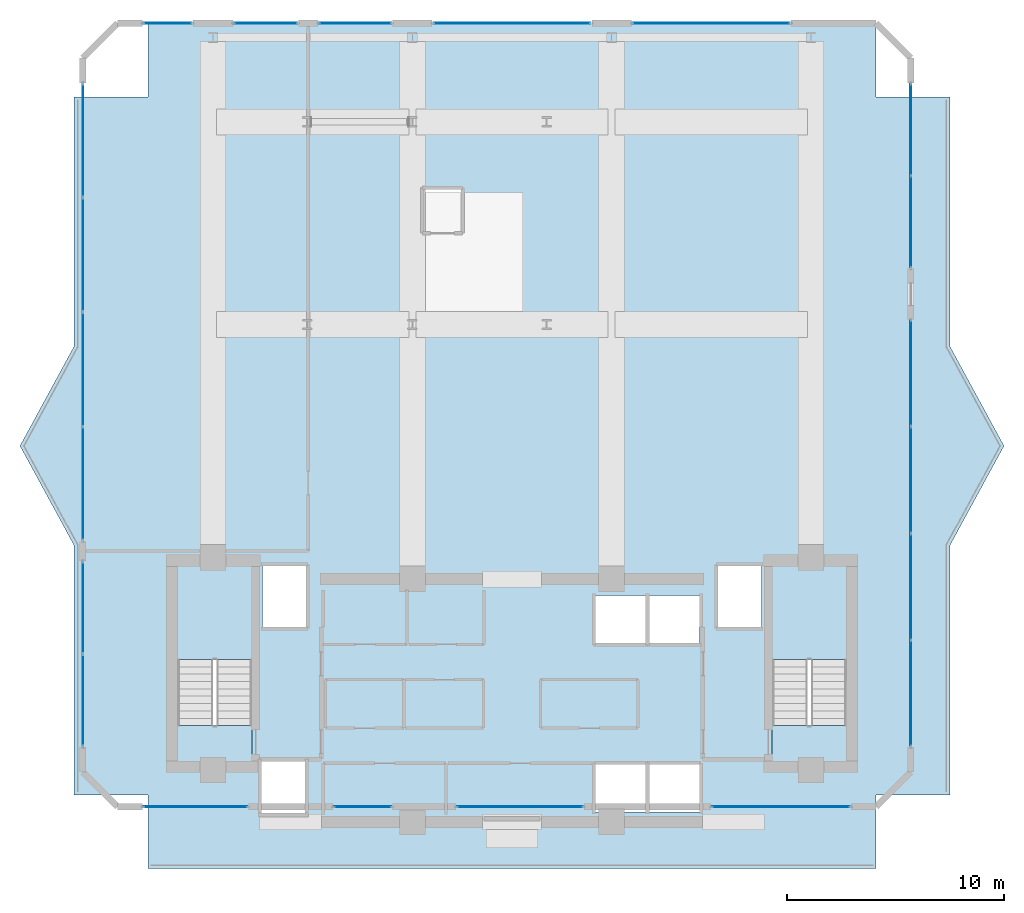
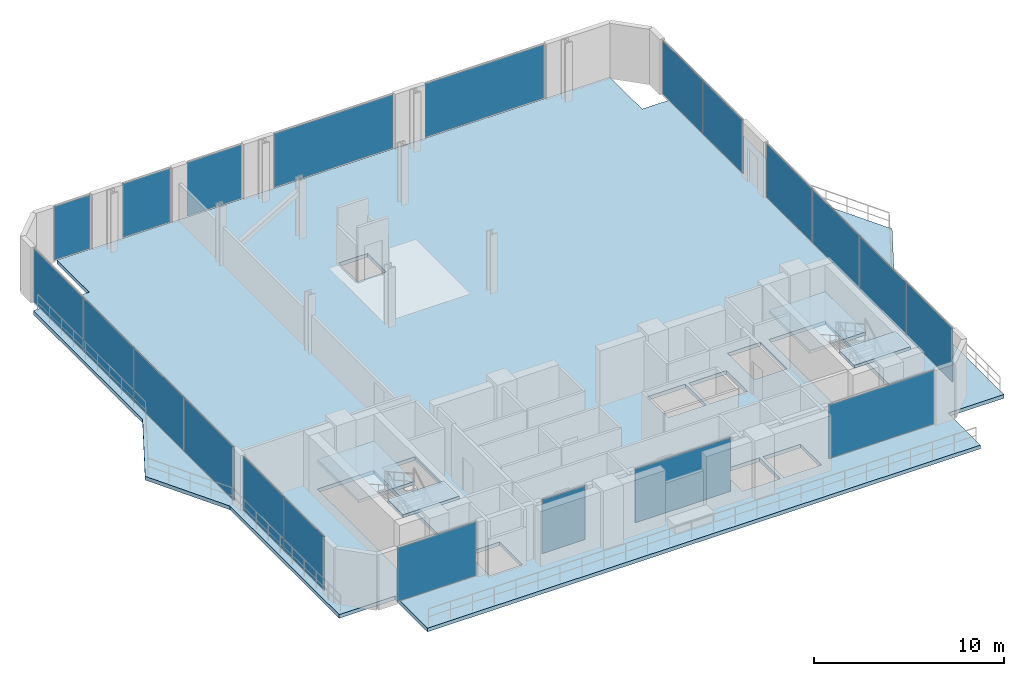
# One storey, part 21 of 27: 21 plates, 5 slabs, 15 elements without a shape of their own.
"""IFC4 building model written with IfcOpenShell, lengths in metres."""

from ifc_helpers import new_model, si_unit, direction, frame, origin, origin_2d, place, context, subcontext, project, spatial, polyline, rectangle, outline, extrude, material, layer, layer_set, type_object, element, aggregate, save


model = new_model("IFC4")

# Units and contexts
model_context = context("Model", 3, precision=1e-05, world=origin(), true_north=direction((0.0, 1.0)))
body_context = subcontext(model_context, "Body", "Model", "MODEL_VIEW")
ifc_project = project(units=[si_unit("LENGTHUNIT", "METRE"), si_unit("AREAUNIT", "SQUARE_METRE"), si_unit("VOLUMEUNIT", "CUBIC_METRE"), si_unit("PLANEANGLEUNIT", "RADIAN"), si_unit("MASSUNIT", "GRAM", prefix="KILO")], contexts=[model_context])

# Site, building, storey
site_placement = place(None, origin())
site = spatial("IfcSite", under=ifc_project, at=site_placement, CompositionType="ELEMENT")
building_placement = place(site_placement, origin())
building = spatial("IfcBuilding", under=site, at=building_placement, Name="Zuhayl Quay Hotel", CompositionType="ELEMENT")
storey_placement = place(building_placement, frame((0.0, 0.0, 297.25)))
storey = spatial("IfcBuildingStorey", under=building, at=storey_placement, Name="Crown 1", CompositionType="ELEMENT", Elevation=297.25)

# Curtain wall, plates
ifc_material_1 = material(Name="Anodised Aluminium 6063-T6", Category="aluminium")
ifc_layer_1 = layer(ifc_material_1, 0.159912109375, Name="Anodised Aluminium 6063-T6", Category="aluminium")
ifc_layer_set_1 = layer_set([ifc_layer_1], Name="Anodised Aluminium 6063-T6")
curtain_wall_type = type_object("IfcCurtainWallType", Name="CW_SYS_CRN", PredefinedType="USERDEFINED", material=ifc_layer_set_1)
curtain_wall_1_placement = place(storey_placement, origin())
curtain_wall_1 = element("IfcCurtainWall", 1, at=curtain_wall_1_placement, inside=storey, type_object=curtain_wall_type, Name="Crown 1 Curtain Wall ENV_CR1_E1_CW1", ObjectType="UNITISED CURTAIN WALL", PredefinedType="USERDEFINED")
ifc_material_2 = material(Name="Spandrel Fritted Solar Glass", Category="glass")
ifc_layer_2 = layer(ifc_material_2, 0.028076171875, Name="Spandrel Fritted Solar Glass", Category="glass")
ifc_layer_set_2 = layer_set([ifc_layer_2], Name="Spandrel Fritted Solar Glass")
plate_type = type_object("IfcPlateType", Name="PN_CROWN_SCREEN", PredefinedType="CURTAIN_PANEL", material=ifc_layer_set_2)
plate_1_placement = place(storey_placement, frame((-19.800048828125, 7.764892578125, 0.05517578125), z_axis=(0.0, 0.0, 1.0), x_axis=(0.0, 1.0, 0.0)))
plate_1 = element("IfcPlate", 2, at=plate_1_placement, type_object=plate_type, Name="CW-CRN panel 1.1", PredefinedType="CURTAIN_PANEL", context=body_context, shape_type="SweptSolid", body=[
    extrude(rectangle(XDim=4.2099609375, YDim=0.028076171875, at=origin_2d()), origin(), (0.0, 0.0, 1.0), 3.449951171875),
])
plate_2_placement = place(storey_placement, frame((-19.800048828125, 12.034912109375, 0.05517578125), z_axis=(0.0, 0.0, 1.0), x_axis=(0.0, 1.0, 0.0)))
plate_2 = element("IfcPlate", 3, at=plate_2_placement, type_object=plate_type, Name="CW-CRN panel 2.1", PredefinedType="CURTAIN_PANEL", context=body_context, shape_type="SweptSolid", body=[
    extrude(rectangle(XDim=4.2099609375, YDim=0.028076171875, at=origin_2d()), origin(), (0.0, 0.0, 1.0), 3.449951171875),
])
aggregate(curtain_wall_1, [plate_1, plate_2])

curtain_wall_2_placement = place(storey_placement, origin())
curtain_wall_2 = element("IfcCurtainWall", 4, at=curtain_wall_2_placement, inside=storey, type_object=curtain_wall_type, Name="Crown 1 Curtain Wall ENV_CR1_E1_CW2", ObjectType="UNITISED CURTAIN WALL", PredefinedType="USERDEFINED")
plate_3_placement = place(storey_placement, frame((-19.800048828125, 17.7587890625, 0.05517578125), z_axis=(0.0, 0.0, 1.0), x_axis=(0.0, 1.0, 0.0)))
plate_3 = element("IfcPlate", 5, at=plate_3_placement, type_object=plate_type, Name="CW-CRN panel 1.1", PredefinedType="CURTAIN_PANEL", context=body_context, shape_type="SweptSolid", body=[
    extrude(rectangle(XDim=5.197509765625, YDim=0.028076171875, at=origin_2d()), origin(), (0.0, 0.0, 1.0), 3.449951171875),
])
plate_4_placement = place(storey_placement, frame((-19.800048828125, 23.03125, 0.05517578125), z_axis=(0.0, 0.0, 1.0), x_axis=(0.0, 1.0, 0.0)))
plate_4 = element("IfcPlate", 6, at=plate_4_placement, type_object=plate_type, Name="CW-CRN panel 2.1", PredefinedType="CURTAIN_PANEL", context=body_context, shape_type="SweptSolid", body=[
    extrude(rectangle(XDim=5.2275390625, YDim=0.028076171875, at=origin_2d()), origin(), (0.0, 0.0, 1.0), 3.449951171875),
])
plate_5_placement = place(storey_placement, frame((-19.800048828125, 28.31884765625, 0.05517578125), z_axis=(0.0, 0.0, 1.0), x_axis=(0.0, 1.0, 0.0)))
plate_5 = element("IfcPlate", 7, at=plate_5_placement, type_object=plate_type, Name="CW-CRN panel 3.1", PredefinedType="CURTAIN_PANEL", context=body_context, shape_type="SweptSolid", body=[
    extrude(rectangle(XDim=5.2275390625, YDim=0.028076171875, at=origin_2d()), origin(), (0.0, 0.0, 1.0), 3.449951171875),
])
plate_6_placement = place(storey_placement, frame((-19.800048828125, 33.59130859375, 0.05517578125), z_axis=(0.0, 0.0, 1.0), x_axis=(0.0, 1.0, 0.0)))
plate_6 = element("IfcPlate", 8, at=plate_6_placement, type_object=plate_type, Name="CW-CRN panel 4.1", PredefinedType="CURTAIN_PANEL", context=body_context, shape_type="SweptSolid", body=[
    extrude(rectangle(XDim=5.197509765625, YDim=0.028076171875, at=origin_2d()), origin(), (0.0, 0.0, 1.0), 3.449951171875),
])
aggregate(curtain_wall_2, [plate_3, plate_4, plate_5, plate_6])

# Curtain wall, plate
curtain_wall_3_placement = place(storey_placement, origin())
curtain_wall_3 = element("IfcCurtainWall", 9, at=curtain_wall_3_placement, inside=storey, type_object=curtain_wall_type, Name="Crown 1 Curtain Wall ENV_CR1_E3_CW1", ObjectType="UNITISED CURTAIN WALL", PredefinedType="USERDEFINED")
plate_7_placement = place(storey_placement, frame((-15.885009765625, 39.0, 0.05517578125), z_axis=(0.0, 0.0, 1.0), x_axis=(1.0, 0.0, 0.0)))
plate_7 = element("IfcPlate", 10, at=plate_7_placement, type_object=plate_type, Name="CW-CRN panel 1.1", PredefinedType="CURTAIN_PANEL", context=body_context, shape_type="SweptSolid", body=[
    extrude(rectangle(XDim=2.2099609375, YDim=0.028076171875, at=origin_2d()), origin(), (0.0, 0.0, 1.0), 3.449951171875),
])
aggregate(curtain_wall_3, [plate_7])

curtain_wall_4_placement = place(storey_placement, origin())
curtain_wall_4 = element("IfcCurtainWall", 11, at=curtain_wall_4_placement, inside=storey, type_object=curtain_wall_type, Name="Crown 1 Curtain Wall ENV_CR1_E3_CW2", ObjectType="UNITISED CURTAIN WALL", PredefinedType="USERDEFINED")
plate_8_placement = place(storey_placement, frame((-11.364990234375, 39.0, 0.05517578125), z_axis=(0.0, 0.0, 1.0), x_axis=(1.0, 0.0, 0.0)))
plate_8 = element("IfcPlate", 12, at=plate_8_placement, type_object=plate_type, Name="CW-CRN panel 1.1", PredefinedType="CURTAIN_PANEL", context=body_context, shape_type="SweptSolid", body=[
    extrude(rectangle(XDim=2.909912109375, YDim=0.028076171875, at=origin_2d()), origin(), (0.0, 0.0, 1.0), 3.449951171875),
])
aggregate(curtain_wall_4, [plate_8])

curtain_wall_5_placement = place(storey_placement, origin())
curtain_wall_5 = element("IfcCurtainWall", 13, at=curtain_wall_5_placement, inside=storey, type_object=curtain_wall_type, Name="Crown 1 Curtain Wall ENV_CR1_E3_CW3", ObjectType="UNITISED CURTAIN WALL", PredefinedType="USERDEFINED")
plate_9_placement = place(storey_placement, frame((-7.235107421875, 39.0, 0.05517578125), z_axis=(0.0, 0.0, 1.0), x_axis=(1.0, 0.0, 0.0)))
plate_9 = element("IfcPlate", 14, at=plate_9_placement, type_object=plate_type, Name="CW-CRN panel 1.1", PredefinedType="CURTAIN_PANEL", context=body_context, shape_type="SweptSolid", body=[
    extrude(rectangle(XDim=3.31005859375, YDim=0.028076171875, at=origin_2d()), origin(), (0.0, 0.0, 1.0), 3.449951171875),
])
aggregate(curtain_wall_5, [plate_9])

curtain_wall_6_placement = place(storey_placement, origin())
curtain_wall_6 = element("IfcCurtainWall", 15, at=curtain_wall_6_placement, inside=storey, type_object=curtain_wall_type, Name="Crown 1 Curtain Wall ENV_CR1_E3_CW4", ObjectType="UNITISED CURTAIN WALL", PredefinedType="USERDEFINED")
plate_10_placement = place(storey_placement, frame((0.0, 39.0, 0.05517578125), z_axis=(0.0, 0.0, 1.0), x_axis=(1.0, 0.0, 0.0)))
plate_10 = element("IfcPlate", 16, at=plate_10_placement, type_object=plate_type, Name="CW-CRN panel 1.1", PredefinedType="CURTAIN_PANEL", context=body_context, shape_type="SweptSolid", body=[
    extrude(rectangle(XDim=7.239990234375, YDim=0.028076171875, at=origin_2d()), origin(), (0.0, 0.0, 1.0), 3.449951171875),
])
aggregate(curtain_wall_6, [plate_10])

curtain_wall_7_placement = place(storey_placement, origin())
curtain_wall_7 = element("IfcCurtainWall", 17, at=curtain_wall_7_placement, inside=storey, type_object=curtain_wall_type, Name="Crown 1 Curtain Wall ENV_CR1_E3_CW5", ObjectType="UNITISED CURTAIN WALL", PredefinedType="USERDEFINED")
plate_11_placement = place(storey_placement, frame((9.199951171875, 39.0, 0.05517578125), z_axis=(0.0, 0.0, 1.0), x_axis=(1.0, 0.0, 0.0)))
plate_11 = element("IfcPlate", 18, at=plate_11_placement, type_object=plate_type, Name="CW-CRN panel 1.1", PredefinedType="CURTAIN_PANEL", context=body_context, shape_type="SweptSolid", body=[
    extrude(rectangle(XDim=7.239990234375, YDim=0.028076171875, at=origin_2d()), origin(), (0.0, 0.0, 1.0), 3.449951171875),
])
aggregate(curtain_wall_7, [plate_11])

# Curtain wall, plates
curtain_wall_8_placement = place(storey_placement, origin())
curtain_wall_8 = element("IfcCurtainWall", 19, at=curtain_wall_8_placement, inside=storey, type_object=curtain_wall_type, Name="Crown 1 Curtain Wall ENV_CR1_E5_CW1", ObjectType="UNITISED CURTAIN WALL", PredefinedType="USERDEFINED")
plate_12_placement = place(storey_placement, frame((18.39990234375, 34.09130859375, 0.05517578125), z_axis=(0.0, 0.0, 1.0), x_axis=(0.0, -1.0, 0.0)))
plate_12 = element("IfcPlate", 20, at=plate_12_placement, type_object=plate_type, Name="CW-CRN panel 1.1", PredefinedType="CURTAIN_PANEL", context=body_context, shape_type="SweptSolid", body=[
    extrude(rectangle(XDim=4.197509765625, YDim=0.028076171875, at=origin_2d()), origin(), (0.0, 0.0, 1.0), 3.449951171875),
])
plate_13_placement = place(storey_placement, frame((18.39990234375, 29.833740234375, 0.05517578125), z_axis=(0.0, 0.0, 1.0), x_axis=(0.0, -1.0, 0.0)))
plate_13 = element("IfcPlate", 21, at=plate_13_placement, type_object=plate_type, Name="CW-CRN panel 2.1", PredefinedType="CURTAIN_PANEL", context=body_context, shape_type="SweptSolid", body=[
    extrude(rectangle(XDim=4.197509765625, YDim=0.028076171875, at=origin_2d()), origin(), (0.0, 0.0, 1.0), 3.449951171875),
])
aggregate(curtain_wall_8, [plate_12, plate_13])

curtain_wall_9_placement = place(storey_placement, origin())
curtain_wall_9 = element("IfcCurtainWall", 22, at=curtain_wall_9_placement, inside=storey, type_object=curtain_wall_type, Name="Crown 1 Curtain Wall ENV_CR1_E5_CW2", ObjectType="UNITISED CURTAIN WALL", PredefinedType="USERDEFINED")
plate_14_placement = place(storey_placement, frame((18.39990234375, 22.844482421875, 0.05517578125), z_axis=(0.0, 0.0, 1.0), x_axis=(0.0, -1.0, 0.0)))
plate_14 = element("IfcPlate", 23, at=plate_14_placement, type_object=plate_type, Name="CW-CRN panel 1.1", PredefinedType="CURTAIN_PANEL", context=body_context, shape_type="SweptSolid", body=[
    extrude(rectangle(XDim=4.84130859375, YDim=0.028076171875, at=origin_2d()), origin(), (0.0, 0.0, 1.0), 3.449951171875),
])
plate_15_placement = place(storey_placement, frame((18.39990234375, 17.92822265625, 0.05517578125), z_axis=(0.0, 0.0, 1.0), x_axis=(0.0, -1.0, 0.0)))
plate_15 = element("IfcPlate", 24, at=plate_15_placement, type_object=plate_type, Name="CW-CRN panel 2.1", PredefinedType="CURTAIN_PANEL", context=body_context, shape_type="SweptSolid", body=[
    extrude(rectangle(XDim=4.871337890625, YDim=0.028076171875, at=origin_2d()), origin(), (0.0, 0.0, 1.0), 3.449951171875),
])
plate_16_placement = place(storey_placement, frame((18.39990234375, 12.996826171875, 0.05517578125), z_axis=(0.0, 0.0, 1.0), x_axis=(0.0, -1.0, 0.0)))
plate_16 = element("IfcPlate", 25, at=plate_16_placement, type_object=plate_type, Name="CW-CRN panel 3.1", PredefinedType="CURTAIN_PANEL", context=body_context, shape_type="SweptSolid", body=[
    extrude(rectangle(XDim=4.871337890625, YDim=0.028076171875, at=origin_2d()), origin(), (0.0, 0.0, 1.0), 3.449951171875),
])
plate_17_placement = place(storey_placement, frame((18.39990234375, 8.08056640625, 0.05517578125), z_axis=(0.0, 0.0, 1.0), x_axis=(0.0, -1.0, 0.0)))
plate_17 = element("IfcPlate", 26, at=plate_17_placement, type_object=plate_type, Name="CW-CRN panel 4.1", PredefinedType="CURTAIN_PANEL", context=body_context, shape_type="SweptSolid", body=[
    extrude(rectangle(XDim=4.84130859375, YDim=0.028076171875, at=origin_2d()), origin(), (0.0, 0.0, 1.0), 3.449951171875),
])
aggregate(curtain_wall_9, [plate_14, plate_15, plate_16, plate_17])

# Curtain wall, plate
curtain_wall_10_placement = place(storey_placement, origin())
curtain_wall_10 = element("IfcCurtainWall", 27, at=curtain_wall_10_placement, inside=storey, type_object=curtain_wall_type, Name="Crown 1 Curtain Wall ENV_CR1_E7_CW1", ObjectType="UNITISED CURTAIN WALL", PredefinedType="USERDEFINED")
plate_18_placement = place(storey_placement, frame((12.4150390625, 2.85009765625, 0.05517578125), z_axis=(0.0, 0.0, 1.0), x_axis=(-1.0, 0.0, 0.0)))
plate_18 = element("IfcPlate", 28, at=plate_18_placement, type_object=plate_type, Name="CW-CRN panel 1.1", PredefinedType="CURTAIN_PANEL", context=body_context, shape_type="SweptSolid", body=[
    extrude(rectangle(XDim=6.35009765625, YDim=0.028076171875, at=origin_2d()), origin(), (0.0, 0.0, 1.0), 3.449951171875),
])
aggregate(curtain_wall_10, [plate_18])

curtain_wall_11_placement = place(storey_placement, origin())
curtain_wall_11 = element("IfcCurtainWall", 29, at=curtain_wall_11_placement, inside=storey, type_object=curtain_wall_type, Name="Crown 1 Curtain Wall ENV_CR1_E7_CW2", ObjectType="UNITISED CURTAIN WALL", PredefinedType="USERDEFINED")
plate_19_placement = place(storey_placement, frame((0.364990234375, 2.85009765625, 0.05517578125), z_axis=(0.0, 0.0, 1.0), x_axis=(-1.0, 0.0, 0.0)))
plate_19 = element("IfcPlate", 30, at=plate_19_placement, type_object=plate_type, Name="CW-CRN panel 1.1", PredefinedType="CURTAIN_PANEL", context=body_context, shape_type="SweptSolid", body=[
    extrude(rectangle(XDim=5.7900390625, YDim=0.028076171875, at=origin_2d()), origin(), (0.0, 0.0, 1.0), 3.449951171875),
])
aggregate(curtain_wall_11, [plate_19])

curtain_wall_12_placement = place(storey_placement, origin())
curtain_wall_12 = element("IfcCurtainWall", 31, at=curtain_wall_12_placement, inside=storey, type_object=curtain_wall_type, Name="Crown 1 Curtain Wall ENV_CR1_E7_CW3", ObjectType="UNITISED CURTAIN WALL", PredefinedType="USERDEFINED")
plate_20_placement = place(storey_placement, frame((-6.889892578125, 2.85009765625, 0.05517578125), z_axis=(0.0, 0.0, 1.0), x_axis=(-1.0, 0.0, 0.0)))
plate_20 = element("IfcPlate", 32, at=plate_20_placement, type_object=plate_type, Name="CW-CRN panel 1.1", PredefinedType="CURTAIN_PANEL", context=body_context, shape_type="SweptSolid", body=[
    extrude(rectangle(XDim=2.6201171875, YDim=0.028076171875, at=origin_2d()), origin(), (0.0, 0.0, 1.0), 3.449951171875),
])
aggregate(curtain_wall_12, [plate_20])

curtain_wall_13_placement = place(storey_placement, origin())
curtain_wall_13 = element("IfcCurtainWall", 33, at=curtain_wall_13_placement, inside=storey, type_object=curtain_wall_type, Name="Crown 1 Curtain Wall ENV_CR1_E7_CW4", ObjectType="UNITISED CURTAIN WALL", PredefinedType="USERDEFINED")
plate_21_placement = place(storey_placement, frame((-14.60498046875, 2.85009765625, 0.05517578125), z_axis=(0.0, 0.0, 1.0), x_axis=(-1.0, 0.0, 0.0)))
plate_21 = element("IfcPlate", 34, at=plate_21_placement, type_object=plate_type, Name="CW-CRN panel 1.1", PredefinedType="CURTAIN_PANEL", context=body_context, shape_type="SweptSolid", body=[
    extrude(rectangle(XDim=4.77001953125, YDim=0.028076171875, at=origin_2d()), origin(), (0.0, 0.0, 1.0), 3.449951171875),
])
aggregate(curtain_wall_13, [plate_21])

# Slab
ifc_material_3 = material(Name="Concrete C45/55", Category="concrete")
ifc_layer_3 = layer(ifc_material_3, 0.239990234375, Name="Concrete C45/55", Category="concrete")
ifc_layer_set_3 = layer_set([ifc_layer_3], Name="Concrete C45/55")
slab_type_1 = type_object("IfcSlabType", Name="SL_CROWN_ROOF_240", PredefinedType="ROOF", material=ifc_layer_set_3)
slab_1_placement = place(storey_placement, frame((0.0, 0.0, -0.239990234375)))
element("IfcSlab", 35, at=slab_1_placement, inside=storey, type_object=slab_type_1, Name="Crown 1 Stepped Crown Terrace and Roof Slab", PredefinedType="ROOF", context=body_context, shape_type="SweptSolid", body=[
    extrude(outline(polyline([(-16.800048828125, 0.0), (16.800048828125, 0.0), (16.800048828125, 3.39990234375), (20.199951171875, 3.39990234375), (20.199951171875, 14.89990234375), (22.699951171875, 19.5), (20.199951171875, 24.10009765625), (20.199951171875, 35.60009765625), (16.800048828125, 35.60009765625), (16.800048828125, 39.0), (-16.800048828125, 39.0), (-16.800048828125, 35.60009765625), (-20.199951171875, 35.60009765625), (-20.199951171875, 24.10009765625), (-22.699951171875, 19.5), (-20.199951171875, 14.89990234375), (-20.199951171875, 3.39990234375), (-16.800048828125, 3.39990234375), (-16.800048828125, 0.0)]), holes=[polyline([(-12.0, 4.949951171875), (-12.0, 13.949951171875), (-15.429931640625, 13.949951171875), (-15.429931640625, 4.949951171875), (-12.0, 4.949951171875)]), polyline([(15.429931640625, 4.949951171875), (15.429931640625, 13.949951171875), (12.0, 13.949951171875), (12.0, 4.949951171875), (15.429931640625, 4.949951171875)]), polyline([(-11.5, 11.14990234375), (-9.5, 11.14990234375), (-9.5, 13.949951171875), (-11.5, 13.949951171875), (-11.5, 11.14990234375)]), polyline([(9.5, 11.14990234375), (11.5, 11.14990234375), (11.5, 13.949951171875), (9.5, 13.949951171875), (9.5, 11.14990234375)]), polyline([(3.85009765625, 2.60009765625), (6.14990234375, 2.60009765625), (6.14990234375, 4.800048828125), (3.85009765625, 4.800048828125), (3.85009765625, 2.60009765625)]), polyline([(6.35009765625, 2.60009765625), (8.64990234375, 2.60009765625), (8.64990234375, 4.800048828125), (6.35009765625, 4.800048828125), (6.35009765625, 2.60009765625)]), polyline([(3.85009765625, 10.39990234375), (6.14990234375, 10.39990234375), (6.14990234375, 12.60009765625), (3.85009765625, 12.60009765625), (3.85009765625, 10.39990234375)]), polyline([(6.35009765625, 10.39990234375), (8.64990234375, 10.39990234375), (8.64990234375, 12.60009765625), (6.35009765625, 12.60009765625), (6.35009765625, 10.39990234375)]), polyline([(-4.080078125, 29.39990234375), (-2.340087890625, 29.39990234375), (-2.340087890625, 31.35009765625), (-4.080078125, 31.35009765625), (-4.080078125, 29.39990234375)]), polyline([(-11.550048828125, 2.550048828125), (-9.550048828125, 2.550048828125), (-9.550048828125, 4.949951171875), (-11.550048828125, 4.949951171875), (-11.550048828125, 2.550048828125)])]), origin(), (0.0, 0.0, 1.0), 0.239990234375),
])

# Stair, slabs
stair_type = type_object("IfcStairType", Name="ST_DOGLEG_TOWER", PredefinedType="HALF_TURN_STAIR", material=ifc_material_3)
stair_1_placement = place(storey_placement, origin())
stair_1 = element("IfcStair", 36, at=stair_1_placement, inside=storey, type_object=stair_type, Name="Crown 1 Smokeproof Exit Stair ST1", PredefinedType="HALF_TURN_STAIR")
ifc_layer_4 = layer(ifc_material_3, 0.199951171875, Name="Concrete C45/55", Category="concrete")
ifc_layer_set_4 = layer_set([ifc_layer_4], Name="Concrete C45/55")
slab_type_2 = type_object("IfcSlabType", Name="SL_STAIR_LANDING_200", PredefinedType="LANDING", material=ifc_layer_set_4)
slab_2_placement = place(storey_placement, frame((0.0, 0.0, 1.699951171875)))
slab_2 = element("IfcSlab", 37, at=slab_2_placement, type_object=slab_type_2, Name="ST1 landing 1", PredefinedType="LANDING", context=body_context, shape_type="SweptSolid", body=[
    extrude(outline(polyline([(-12.0, 9.64990234375), (-12.0, 13.949951171875), (-15.429931640625, 13.949951171875), (-15.429931640625, 9.64990234375), (-12.0, 9.64990234375)])), origin(), (0.0, 0.0, 1.0), 0.199951171875),
])
slab_3_placement = place(storey_placement, frame((0.0, 0.0, 3.60009765625)))
slab_3 = element("IfcSlab", 38, at=slab_3_placement, type_object=slab_type_2, Name="ST1 landing 2", PredefinedType="LANDING", context=body_context, shape_type="SweptSolid", body=[
    extrude(outline(polyline([(-12.0, 4.949951171875), (-12.0, 6.590087890625), (-15.429931640625, 6.590087890625), (-15.429931640625, 4.949951171875), (-12.0, 4.949951171875)])), origin(), (0.0, 0.0, 1.0), 0.199951171875),
])
aggregate(stair_1, [slab_2, slab_3])

stair_2_placement = place(storey_placement, origin())
stair_2 = element("IfcStair", 39, at=stair_2_placement, inside=storey, type_object=stair_type, Name="Crown 1 Smokeproof Exit Stair ST2", PredefinedType="HALF_TURN_STAIR")
slab_4_placement = place(storey_placement, frame((0.0, 0.0, 1.699951171875)))
slab_4 = element("IfcSlab", 40, at=slab_4_placement, type_object=slab_type_2, Name="ST2 landing 1", PredefinedType="LANDING", context=body_context, shape_type="SweptSolid", body=[
    extrude(outline(polyline([(15.429931640625, 9.64990234375), (15.429931640625, 13.949951171875), (12.0, 13.949951171875), (12.0, 9.64990234375), (15.429931640625, 9.64990234375)])), origin(), (0.0, 0.0, 1.0), 0.199951171875),
])
slab_5_placement = place(storey_placement, frame((0.0, 0.0, 3.60009765625)))
slab_5 = element("IfcSlab", 41, at=slab_5_placement, type_object=slab_type_2, Name="ST2 landing 2", PredefinedType="LANDING", context=body_context, shape_type="SweptSolid", body=[
    extrude(outline(polyline([(15.429931640625, 4.949951171875), (15.429931640625, 6.590087890625), (12.0, 6.590087890625), (12.0, 4.949951171875), (15.429931640625, 4.949951171875)])), origin(), (0.0, 0.0, 1.0), 0.199951171875),
])
aggregate(stair_2, [slab_4, slab_5])

save(model, "model.ifc")
